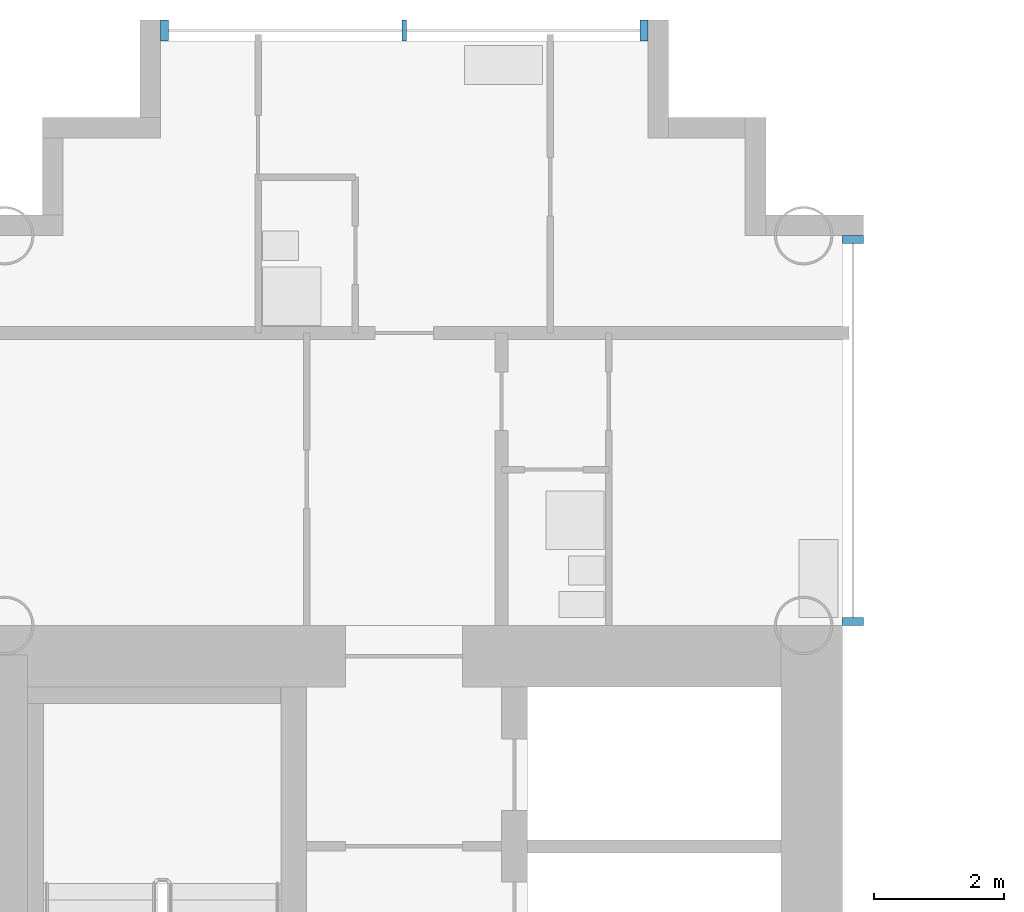
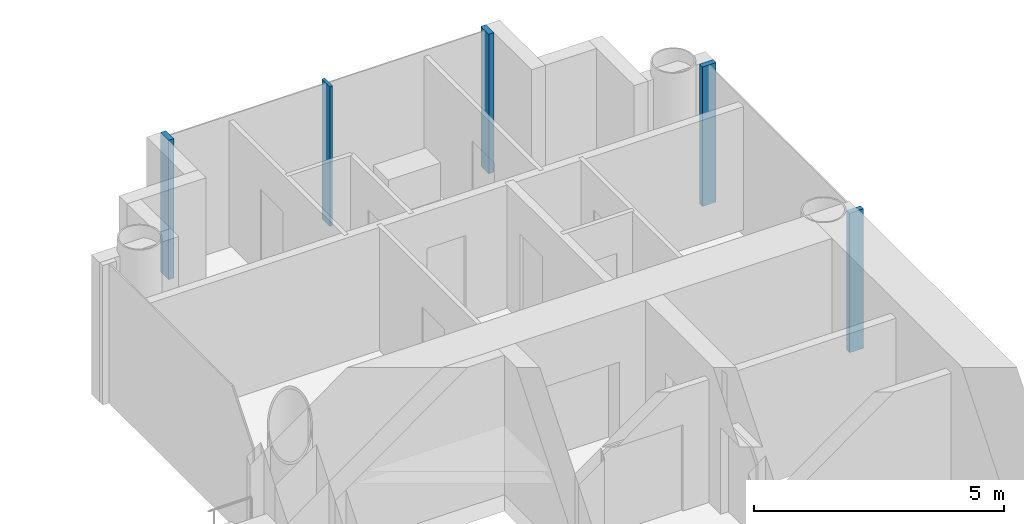
# One storey, part 6 of 22: 5 members, 2 elements without a shape of their own.
"""IFC4 building model written with IfcOpenShell, lengths in metres."""

from ifc_helpers import new_model, si_unit, direction, frame, origin, origin_2d, place, context, subcontext, project, spatial, rectangle, extrude, material, layer, layer_set, material_profile, profile_set, type_object, element, aggregate, save


model = new_model("IFC4")

# Units and contexts
model_context = context("Model", 3, precision=1e-05, world=origin(), true_north=direction((0.0, 1.0)))
body_context = subcontext(model_context, "Body", "Model", "MODEL_VIEW")
ifc_project = project(units=[si_unit("LENGTHUNIT", "METRE"), si_unit("AREAUNIT", "SQUARE_METRE"), si_unit("VOLUMEUNIT", "CUBIC_METRE"), si_unit("PLANEANGLEUNIT", "RADIAN"), si_unit("MASSUNIT", "GRAM", prefix="KILO")], contexts=[model_context])

# Site, building, storey
site_placement = place(None, origin())
site = spatial("IfcSite", under=ifc_project, at=site_placement, CompositionType="ELEMENT")
building_placement = place(site_placement, origin())
building = spatial("IfcBuilding", under=site, at=building_placement, Name="Ipe Terrace Towers", CompositionType="ELEMENT")
storey_placement = place(building_placement, frame((0.0, 0.0, 76.60009765625)))
storey = spatial("IfcBuildingStorey", under=building, at=storey_placement, Name="L20", CompositionType="ELEMENT", Elevation=76.60009765625)

# Curtain wall, members
ifc_material_1 = material(Name="Aluminium alloy 6063-T6", Category="aluminium")
ifc_layer = layer(ifc_material_1, 0.320068359375)
ifc_layer_set = layer_set([ifc_layer], Name="TOWER UNITISED CURTAIN WALL")
curtain_wall_type = type_object("IfcCurtainWallType", Name="TOWER UNITISED CURTAIN WALL", PredefinedType="NOTDEFINED", material=ifc_layer_set)
curtain_wall_1_placement = place(storey_placement, origin())
curtain_wall_1 = element("IfcCurtainWall", 1, at=curtain_wall_1_placement, inside=storey, type_object=curtain_wall_type, Name="T2-CW-L20-16b curtain wall", PredefinedType="NOTDEFINED")
ifc_material_2 = material(Name="Aluminium alloy 6063-T6", Category="aluminium")
ifc_material_profile_1 = material_profile(ifc_material_2, rectangle(XDim=0.320068359375, YDim=0.1201171875, at=origin_2d()), Name="TOWER UNITISED CORNER MULLION 320 x 120")
ifc_profile_set_1 = profile_set([ifc_material_profile_1], Name="Aluminium alloy 6063-T6")
member_type_1 = type_object("IfcMemberType", Name="TOWER UNITISED CORNER MULLION 320 x 120", PredefinedType="MULLION", material=ifc_profile_set_1)
member_1_placement = place(storey_placement, frame((42.909912109375, 15.81103515625, -0.300048828125), z_axis=(0.0, 0.0, 1.0), x_axis=(1.0, 0.0, 0.0)))
member_1 = element("IfcMember", 2, at=member_1_placement, type_object=member_type_1, Name="T2-CW-L20-16b mullion 1", PredefinedType="MULLION", context=body_context, shape_type="SweptSolid", body=[
    extrude(rectangle(XDim=0.320068359375, YDim=0.1201171875, at=origin_2d()), origin(), (0.0, 0.0, 1.0), 3.39990234375),
])
member_2_placement = place(storey_placement, frame((42.909912109375, 21.68994140625, -0.300048828125), z_axis=(0.0, 0.0, 1.0), x_axis=(1.0, 0.0, 0.0)))
member_2 = element("IfcMember", 3, at=member_2_placement, type_object=member_type_1, Name="T2-CW-L20-16b mullion 2", PredefinedType="MULLION", context=body_context, shape_type="SweptSolid", body=[
    extrude(rectangle(XDim=0.320068359375, YDim=0.1201171875, at=origin_2d()), origin(), (0.0, 0.0, 1.0), 3.39990234375),
])
aggregate(curtain_wall_1, [member_1, member_2])

curtain_wall_2_placement = place(storey_placement, origin())
curtain_wall_2 = element("IfcCurtainWall", 4, at=curtain_wall_2_placement, inside=storey, type_object=curtain_wall_type, Name="T2-CW-L20-21a curtain wall", PredefinedType="NOTDEFINED")
member_3_placement = place(storey_placement, frame((39.68994140625, 24.909912109375, -0.300048828125), z_axis=(0.0, 0.0, 1.0), x_axis=(0.0, 1.0, 0.0)))
member_3 = element("IfcMember", 5, at=member_3_placement, type_object=member_type_1, Name="T2-CW-L20-21a mullion 1", PredefinedType="MULLION", context=body_context, shape_type="SweptSolid", body=[
    extrude(rectangle(XDim=0.320068359375, YDim=0.1201171875, at=origin_2d()), origin(), (0.0, 0.0, 1.0), 3.39990234375),
])
member_4_placement = place(storey_placement, frame((32.31005859375, 24.909912109375, -0.300048828125), z_axis=(0.0, 0.0, 1.0), x_axis=(0.0, 1.0, 0.0)))
member_4 = element("IfcMember", 6, at=member_4_placement, type_object=member_type_1, Name="T2-CW-L20-21a mullion 3", PredefinedType="MULLION", context=body_context, shape_type="SweptSolid", body=[
    extrude(rectangle(XDim=0.320068359375, YDim=0.1201171875, at=origin_2d()), origin(), (0.0, 0.0, 1.0), 3.39990234375),
])
ifc_material_3 = material(Name="Aluminium alloy 6063-T6", Category="aluminium")
ifc_material_profile_2 = material_profile(ifc_material_3, rectangle(XDim=0.320068359375, YDim=0.06494140625, at=origin_2d()), Name="TOWER UNITISED MULLION 320 x 65")
ifc_profile_set_2 = profile_set([ifc_material_profile_2], Name="Aluminium alloy 6063-T6")
member_type_2 = type_object("IfcMemberType", Name="TOWER UNITISED MULLION 320 x 65", PredefinedType="MULLION", material=ifc_profile_set_2)
member_5_placement = place(storey_placement, frame((36.0, 24.909912109375, -0.300048828125), z_axis=(0.0, 0.0, 1.0), x_axis=(0.0, 1.0, 0.0)))
member_5 = element("IfcMember", 7, at=member_5_placement, type_object=member_type_2, Name="T2-CW-L20-21a mullion 2", PredefinedType="MULLION", context=body_context, shape_type="SweptSolid", body=[
    extrude(rectangle(XDim=0.320068359375, YDim=0.06494140625, at=origin_2d()), origin(), (0.0, 0.0, 1.0), 3.39990234375),
])
aggregate(curtain_wall_2, [member_3, member_5, member_4])

save(model, "model.ifc")
